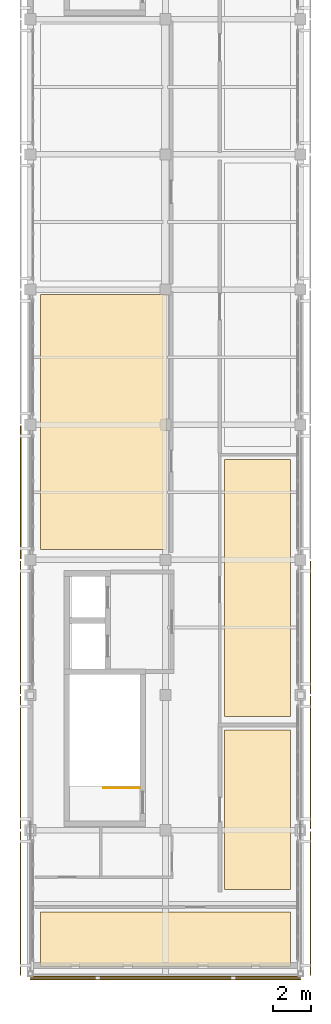
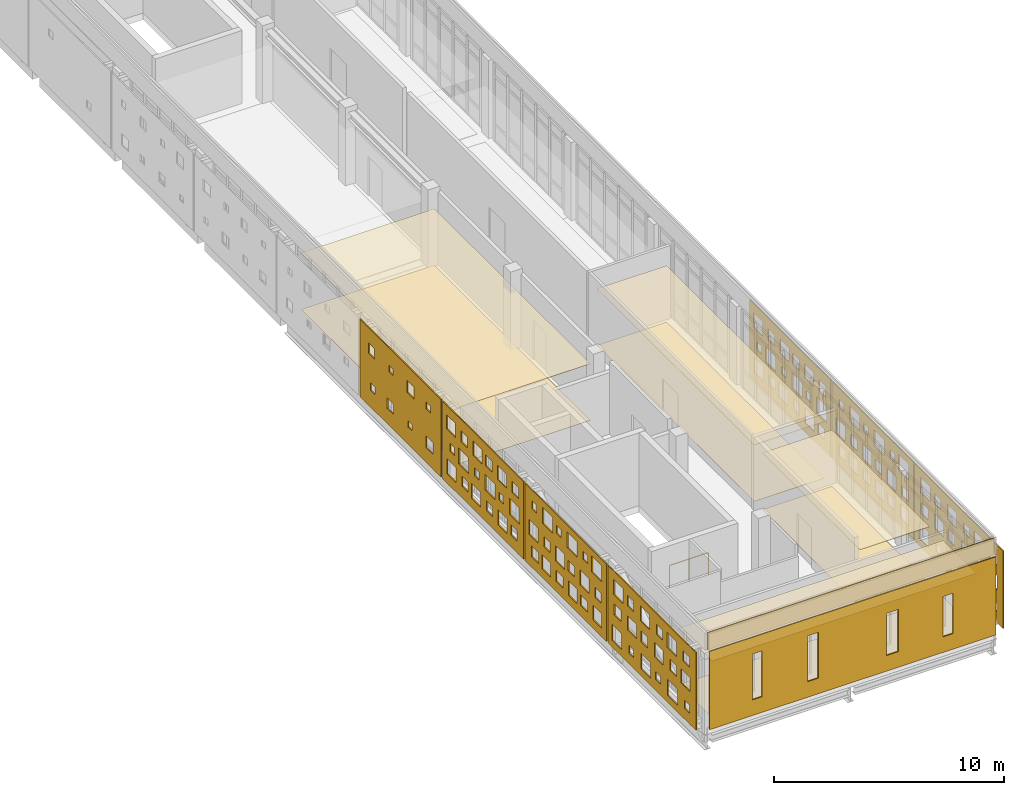
# One storey, part 18 of 19: 17 coverings, 1 railing.
"""IFC4 building model written with IfcOpenShell, lengths in metres."""

from ifc_helpers import new_model, si_unit, direction, frame, origin, origin_2d, place, context, subcontext, project, spatial, polyline, circle, outline, extrude, material, layer, layer_set, type_object, element, save


model = new_model("IFC4")

# Units and contexts
model_context = context("Model", 3, precision=1e-05, world=origin(), true_north=direction((0.0, 1.0)))
body_context = subcontext(model_context, "Body", "Model", "MODEL_VIEW")
ifc_project = project(units=[si_unit("LENGTHUNIT", "METRE"), si_unit("AREAUNIT", "SQUARE_METRE"), si_unit("VOLUMEUNIT", "CUBIC_METRE"), si_unit("PLANEANGLEUNIT", "RADIAN"), si_unit("MASSUNIT", "GRAM", prefix="KILO")], contexts=[model_context])

# Site, building, storey
site_placement = place(None, origin())
site = spatial("IfcSite", under=ifc_project, at=site_placement, CompositionType="ELEMENT")
building_placement = place(site_placement, origin())
building = spatial("IfcBuilding", under=site, at=building_placement, Name="Valkovuoma Quantum and Materials Research Institute", CompositionType="ELEMENT")
storey_placement = place(building_placement, frame((0.0, 0.0, 38.080078125)))
storey = spatial("IfcBuildingStorey", under=building, at=storey_placement, Name="L09", CompositionType="ELEMENT", Elevation=38.080078125)

# Coverings
ifc_material_1 = material(Name="Cleanable acoustic mineral-fibre suspended ceiling", Category="masonry")
ifc_layer_1 = layer(ifc_material_1, 0.02490234375)
ifc_layer_set_1 = layer_set([ifc_layer_1], Name="Cleanable acoustic mineral-fibre suspended ceiling")
covering_type_1 = type_object("IfcCoveringType", Name="Cov-CEIL-01", PredefinedType="CEILING", material=ifc_layer_set_1)
covering_1_placement = place(storey_placement, frame((0.0, 0.0, 3.0)))
element("IfcCovering", 1, at=covering_1_placement, inside=storey, type_object=covering_type_1, Name="L09 acoustic ceiling 0164", PredefinedType="CEILING", context=body_context, shape_type="SweptSolid", body=[
    extrude(outline(polyline([(0.550048828125, 21.550048828125), (13.85009765625, 21.550048828125), (13.85009765625, 24.449951171875), (0.550048828125, 24.449951171875), (0.550048828125, 21.550048828125)])), origin(), (0.0, 0.0, 1.0), 0.02490234375),
])
covering_2_placement = place(storey_placement, frame((0.0, 0.0, 3.0)))
element("IfcCovering", 2, at=covering_2_placement, inside=storey, type_object=covering_type_1, Name="L09 acoustic ceiling 0165", PredefinedType="CEILING", context=body_context, shape_type="SweptSolid", body=[
    extrude(outline(polyline([(0.550048828125, 43.75), (7.25, 43.75), (7.25, 57.35009765625), (0.550048828125, 57.35009765625), (0.550048828125, 43.75)])), origin(), (0.0, 0.0, 1.0), 0.02490234375),
])
covering_3_placement = place(storey_placement, frame((0.0, 0.0, 3.0)))
element("IfcCovering", 3, at=covering_3_placement, inside=storey, type_object=covering_type_1, Name="L09 acoustic ceiling 0168", PredefinedType="CEILING", context=body_context, shape_type="SweptSolid", body=[
    extrude(outline(polyline([(10.35009765625, 25.64990234375), (13.85009765625, 25.64990234375), (13.85009765625, 34.14990234375), (10.35009765625, 34.14990234375), (10.35009765625, 25.64990234375)])), origin(), (0.0, 0.0, 1.0), 0.02490234375),
])
covering_4_placement = place(storey_placement, frame((0.0, 0.0, 3.0)))
element("IfcCovering", 4, at=covering_4_placement, inside=storey, type_object=covering_type_1, Name="L09 acoustic ceiling 0169", PredefinedType="CEILING", context=body_context, shape_type="SweptSolid", body=[
    extrude(outline(polyline([(10.35009765625, 34.85009765625), (13.85009765625, 34.85009765625), (13.85009765625, 48.550048828125), (10.35009765625, 48.550048828125), (10.35009765625, 34.85009765625)])), origin(), (0.0, 0.0, 1.0), 0.02490234375),
])
ifc_material_2 = material(Name="Seamless dissipative laboratory resin flooring", Category="masonry")
ifc_layer_2 = layer(ifc_material_2, 0.014892578125)
ifc_layer_set_2 = layer_set([ifc_layer_2], Name="Seamless dissipative laboratory resin flooring")
covering_type_2 = type_object("IfcCoveringType", Name="Cov-FLOR-01", PredefinedType="FLOORING", material=ifc_layer_set_2)
covering_5_placement = place(storey_placement, origin())
element("IfcCovering", 5, at=covering_5_placement, inside=storey, type_object=covering_type_2, Name="L09 resin flooring 0164", PredefinedType="FLOORING", context=body_context, shape_type="SweptSolid", body=[
    extrude(outline(polyline([(0.550048828125, 21.550048828125), (13.85009765625, 21.550048828125), (13.85009765625, 24.449951171875), (0.550048828125, 24.449951171875), (0.550048828125, 21.550048828125)])), origin(), (0.0, 0.0, 1.0), 0.014892578125),
])
covering_6_placement = place(storey_placement, origin())
element("IfcCovering", 6, at=covering_6_placement, inside=storey, type_object=covering_type_2, Name="L09 resin flooring 0165", PredefinedType="FLOORING", context=body_context, shape_type="SweptSolid", body=[
    extrude(outline(polyline([(0.550048828125, 43.75), (7.25, 43.75), (7.25, 57.35009765625), (0.550048828125, 57.35009765625), (0.550048828125, 43.75)])), origin(), (0.0, 0.0, 1.0), 0.014892578125),
])
covering_7_placement = place(storey_placement, origin())
element("IfcCovering", 7, at=covering_7_placement, inside=storey, type_object=covering_type_2, Name="L09 resin flooring 0168", PredefinedType="FLOORING", context=body_context, shape_type="SweptSolid", body=[
    extrude(outline(polyline([(10.35009765625, 25.64990234375), (13.85009765625, 25.64990234375), (13.85009765625, 34.14990234375), (10.35009765625, 34.14990234375), (10.35009765625, 25.64990234375)])), origin(), (0.0, 0.0, 1.0), 0.014892578125),
])
covering_8_placement = place(storey_placement, origin())
element("IfcCovering", 8, at=covering_8_placement, inside=storey, type_object=covering_type_2, Name="L09 resin flooring 0169", PredefinedType="FLOORING", context=body_context, shape_type="SweptSolid", body=[
    extrude(outline(polyline([(10.35009765625, 34.85009765625), (13.85009765625, 34.85009765625), (13.85009765625, 48.550048828125), (10.35009765625, 48.550048828125), (10.35009765625, 34.85009765625)])), origin(), (0.0, 0.0, 1.0), 0.014892578125),
])
ifc_material_3 = material(Name="White powder-coated aluminium architectural panel", Category="aluminium")
ifc_layer_3 = layer(ifc_material_3, 0.054931640625)
ifc_layer_set_3 = layer_set([ifc_layer_3], Name="White powder-coated aluminium architectural panel")
covering_type_3 = type_object("IfcCoveringType", Name="Cov-PERF-DENSE", PredefinedType="CLADDING", material=ifc_layer_set_3)
covering_9_placement = place(storey_placement, frame((-0.52001953125, 21.06005859375, 0.02001953125), z_axis=(0.0, 0.0, 1.0), x_axis=(0.0, 1.0, 0.0)))
element("IfcCovering", 9, at=covering_9_placement, inside=storey, type_object=covering_type_3, Name="L09 graduated perforated white screen W-0136", PredefinedType="CLADDING", context=body_context, shape_type="SweptSolid", body=[
    extrude(outline(polyline([(0.0, 0.0), (7.679931640625, 0.0), (7.679931640625, 4.119873046875), (0.0, 4.119873046875), (0.0, 0.0)]), holes=[polyline([(0.578369140625, 0.5732421875), (0.578369140625, 0.993408203125), (0.998291015625, 0.993408203125), (0.998291015625, 0.5732421875), (0.578369140625, 0.5732421875)]), polyline([(0.5283203125, 1.72998046875), (0.5283203125, 2.489990234375), (1.288330078125, 2.489990234375), (1.288330078125, 1.72998046875), (0.5283203125, 1.72998046875)]), polyline([(0.578369140625, 3.0166015625), (0.578369140625, 3.556640625), (1.118408203125, 3.556640625), (1.118408203125, 3.0166015625), (0.578369140625, 3.0166015625)]), polyline([(1.625, 0.36328125), (1.625, 1.203369140625), (2.465087890625, 1.203369140625), (2.465087890625, 0.36328125), (1.625, 0.36328125)]), polyline([(1.695068359375, 1.820068359375), (1.695068359375, 2.39990234375), (2.27490234375, 2.39990234375), (2.27490234375, 1.820068359375), (1.695068359375, 1.820068359375)]), polyline([(1.705078125, 2.88671875), (1.705078125, 3.686767578125), (2.5048828125, 3.686767578125), (2.5048828125, 2.88671875), (1.705078125, 2.88671875)]), polyline([(3.091796875, 0.5732421875), (3.091796875, 0.993408203125), (3.51171875, 0.993408203125), (3.51171875, 0.5732421875), (3.091796875, 0.5732421875)]), polyline([(2.86181640625, 1.72998046875), (2.86181640625, 2.489990234375), (3.62158203125, 2.489990234375), (3.62158203125, 1.72998046875), (2.86181640625, 1.72998046875)]), polyline([(2.91162109375, 3.0166015625), (2.91162109375, 3.556640625), (3.45166015625, 3.556640625), (3.45166015625, 3.0166015625), (2.91162109375, 3.0166015625)]), polyline([(3.958251953125, 0.36328125), (3.958251953125, 1.203369140625), (4.79833984375, 1.203369140625), (4.79833984375, 0.36328125), (3.958251953125, 0.36328125)]), polyline([(4.208251953125, 1.820068359375), (4.208251953125, 2.39990234375), (4.788330078125, 2.39990234375), (4.788330078125, 1.820068359375), (4.208251953125, 1.820068359375)]), polyline([(4.038330078125, 2.88671875), (4.038330078125, 3.686767578125), (4.83837890625, 3.686767578125), (4.83837890625, 2.88671875), (4.038330078125, 2.88671875)]), polyline([(5.425048828125, 0.5732421875), (5.425048828125, 0.993408203125), (5.844970703125, 0.993408203125), (5.844970703125, 0.5732421875), (5.425048828125, 0.5732421875)]), polyline([(5.195068359375, 1.72998046875), (5.195068359375, 2.489990234375), (5.955078125, 2.489990234375), (5.955078125, 1.72998046875), (5.195068359375, 1.72998046875)]), polyline([(5.425048828125, 3.0166015625), (5.425048828125, 3.556640625), (5.965087890625, 3.556640625), (5.965087890625, 3.0166015625), (5.425048828125, 3.0166015625)]), polyline([(6.4716796875, 0.36328125), (6.4716796875, 1.203369140625), (7.311767578125, 1.203369140625), (7.311767578125, 0.36328125), (6.4716796875, 0.36328125)]), polyline([(6.541748046875, 1.820068359375), (6.541748046875, 2.39990234375), (7.12158203125, 2.39990234375), (7.12158203125, 1.820068359375), (6.541748046875, 1.820068359375)]), polyline([(6.37158203125, 2.88671875), (6.37158203125, 3.686767578125), (7.171630859375, 3.686767578125), (7.171630859375, 2.88671875), (6.37158203125, 2.88671875)])]), frame((0.0, 0.02734375, 0.0), z_axis=(0.0, -1.0, 0.0), x_axis=(1.0, 0.0, 0.0)), (0.0, 0.0, 1.0), 0.054931640625),
])
covering_10_placement = place(storey_placement, frame((14.919921875, 21.06005859375, 0.02001953125), z_axis=(0.0, 0.0, 1.0), x_axis=(0.0, 1.0, 0.0)))
element("IfcCovering", 10, at=covering_10_placement, inside=storey, type_object=covering_type_3, Name="L09 graduated perforated white screen E-0137", PredefinedType="CLADDING", context=body_context, shape_type="SweptSolid", body=[
    extrude(outline(polyline([(0.0, 0.0), (7.679931640625, 0.0), (7.679931640625, 4.119873046875), (0.0, 4.119873046875), (0.0, 0.0)]), holes=[polyline([(0.578369140625, 0.5732421875), (0.578369140625, 0.993408203125), (0.998291015625, 0.993408203125), (0.998291015625, 0.5732421875), (0.578369140625, 0.5732421875)]), polyline([(0.5283203125, 1.72998046875), (0.5283203125, 2.489990234375), (1.288330078125, 2.489990234375), (1.288330078125, 1.72998046875), (0.5283203125, 1.72998046875)]), polyline([(0.578369140625, 3.0166015625), (0.578369140625, 3.556640625), (1.118408203125, 3.556640625), (1.118408203125, 3.0166015625), (0.578369140625, 3.0166015625)]), polyline([(1.625, 0.36328125), (1.625, 1.203369140625), (2.465087890625, 1.203369140625), (2.465087890625, 0.36328125), (1.625, 0.36328125)]), polyline([(1.695068359375, 1.820068359375), (1.695068359375, 2.39990234375), (2.27490234375, 2.39990234375), (2.27490234375, 1.820068359375), (1.695068359375, 1.820068359375)]), polyline([(1.705078125, 2.88671875), (1.705078125, 3.686767578125), (2.5048828125, 3.686767578125), (2.5048828125, 2.88671875), (1.705078125, 2.88671875)]), polyline([(3.091796875, 0.5732421875), (3.091796875, 0.993408203125), (3.51171875, 0.993408203125), (3.51171875, 0.5732421875), (3.091796875, 0.5732421875)]), polyline([(2.86181640625, 1.72998046875), (2.86181640625, 2.489990234375), (3.62158203125, 2.489990234375), (3.62158203125, 1.72998046875), (2.86181640625, 1.72998046875)]), polyline([(2.91162109375, 3.0166015625), (2.91162109375, 3.556640625), (3.45166015625, 3.556640625), (3.45166015625, 3.0166015625), (2.91162109375, 3.0166015625)]), polyline([(3.958251953125, 0.36328125), (3.958251953125, 1.203369140625), (4.79833984375, 1.203369140625), (4.79833984375, 0.36328125), (3.958251953125, 0.36328125)]), polyline([(4.208251953125, 1.820068359375), (4.208251953125, 2.39990234375), (4.788330078125, 2.39990234375), (4.788330078125, 1.820068359375), (4.208251953125, 1.820068359375)]), polyline([(4.038330078125, 2.88671875), (4.038330078125, 3.686767578125), (4.83837890625, 3.686767578125), (4.83837890625, 2.88671875), (4.038330078125, 2.88671875)]), polyline([(5.425048828125, 0.5732421875), (5.425048828125, 0.993408203125), (5.844970703125, 0.993408203125), (5.844970703125, 0.5732421875), (5.425048828125, 0.5732421875)]), polyline([(5.195068359375, 1.72998046875), (5.195068359375, 2.489990234375), (5.955078125, 2.489990234375), (5.955078125, 1.72998046875), (5.195068359375, 1.72998046875)]), polyline([(5.425048828125, 3.0166015625), (5.425048828125, 3.556640625), (5.965087890625, 3.556640625), (5.965087890625, 3.0166015625), (5.425048828125, 3.0166015625)]), polyline([(6.4716796875, 0.36328125), (6.4716796875, 1.203369140625), (7.311767578125, 1.203369140625), (7.311767578125, 0.36328125), (6.4716796875, 0.36328125)]), polyline([(6.541748046875, 1.820068359375), (6.541748046875, 2.39990234375), (7.12158203125, 2.39990234375), (7.12158203125, 1.820068359375), (6.541748046875, 1.820068359375)]), polyline([(6.37158203125, 2.88671875), (6.37158203125, 3.686767578125), (7.171630859375, 3.686767578125), (7.171630859375, 2.88671875), (6.37158203125, 2.88671875)])]), frame((0.0, 0.02734375, 0.0), z_axis=(0.0, -1.0, 0.0), x_axis=(1.0, 0.0, 0.0)), (0.0, 0.0, 1.0), 0.054931640625),
])
covering_11_placement = place(storey_placement, frame((-0.52001953125, 28.860107421875, 0.02001953125), z_axis=(0.0, 0.0, 1.0), x_axis=(0.0, 1.0, 0.0)))
element("IfcCovering", 11, at=covering_11_placement, inside=storey, type_object=covering_type_3, Name="L09 graduated perforated white screen W-0138", PredefinedType="CLADDING", context=body_context, shape_type="SweptSolid", body=[
    extrude(outline(polyline([(0.0, 0.0), (7.079833984375, 0.0), (7.079833984375, 4.119873046875), (0.0, 4.119873046875), (0.0, 0.0)]), holes=[polyline([(0.418212890625, 0.453369140625), (0.418212890625, 1.21337890625), (1.17822265625, 1.21337890625), (1.17822265625, 0.453369140625), (0.418212890625, 0.453369140625)]), polyline([(0.46826171875, 1.739990234375), (0.46826171875, 2.280029296875), (1.00830078125, 2.280029296875), (1.00830078125, 1.739990234375), (0.46826171875, 1.739990234375)]), polyline([(0.438232421875, 2.916748046875), (0.438232421875, 3.756591796875), (1.2783203125, 3.756591796875), (1.2783203125, 2.916748046875), (0.438232421875, 2.916748046875)]), polyline([(1.6650390625, 0.543212890625), (1.6650390625, 1.123291015625), (2.2451171875, 1.123291015625), (2.2451171875, 0.543212890625), (1.6650390625, 0.543212890625)]), polyline([(1.4951171875, 1.610107421875), (1.4951171875, 2.409912109375), (2.294921875, 2.409912109375), (2.294921875, 1.610107421875), (1.4951171875, 1.610107421875)]), polyline([(1.625, 3.126708984375), (1.625, 3.546630859375), (2.044921875, 3.546630859375), (2.044921875, 3.126708984375), (1.625, 3.126708984375)]), polyline([(2.5517578125, 0.453369140625), (2.5517578125, 1.21337890625), (3.311767578125, 1.21337890625), (3.311767578125, 0.453369140625), (2.5517578125, 0.453369140625)]), polyline([(2.78173828125, 1.739990234375), (2.78173828125, 2.280029296875), (3.32177734375, 2.280029296875), (3.32177734375, 1.739990234375), (2.78173828125, 1.739990234375)]), polyline([(2.57177734375, 2.916748046875), (2.57177734375, 3.756591796875), (3.41162109375, 3.756591796875), (3.41162109375, 2.916748046875), (2.57177734375, 2.916748046875)]), polyline([(3.79833984375, 0.543212890625), (3.79833984375, 1.123291015625), (4.37841796875, 1.123291015625), (4.37841796875, 0.543212890625), (3.79833984375, 0.543212890625)]), polyline([(3.62841796875, 1.610107421875), (3.62841796875, 2.409912109375), (4.42822265625, 2.409912109375), (4.42822265625, 1.610107421875), (3.62841796875, 1.610107421875)]), polyline([(3.938232421875, 3.126708984375), (3.938232421875, 3.546630859375), (4.3583984375, 3.546630859375), (4.3583984375, 3.126708984375), (3.938232421875, 3.126708984375)]), polyline([(4.864990234375, 0.453369140625), (4.864990234375, 1.21337890625), (5.625, 1.21337890625), (5.625, 0.453369140625), (4.864990234375, 0.453369140625)]), polyline([(4.9150390625, 1.739990234375), (4.9150390625, 2.280029296875), (5.455078125, 2.280029296875), (5.455078125, 1.739990234375), (4.9150390625, 1.739990234375)]), polyline([(4.705078125, 2.916748046875), (4.705078125, 3.756591796875), (5.544921875, 3.756591796875), (5.544921875, 2.916748046875), (4.705078125, 2.916748046875)]), polyline([(5.931640625, 0.543212890625), (5.931640625, 1.123291015625), (6.51171875, 1.123291015625), (6.51171875, 0.543212890625), (5.931640625, 0.543212890625)]), polyline([(5.941650390625, 1.610107421875), (5.941650390625, 2.409912109375), (6.74169921875, 2.409912109375), (6.74169921875, 1.610107421875), (5.941650390625, 1.610107421875)]), polyline([(6.07177734375, 3.126708984375), (6.07177734375, 3.546630859375), (6.49169921875, 3.546630859375), (6.49169921875, 3.126708984375), (6.07177734375, 3.126708984375)])]), frame((0.0, 0.02734375, 0.0), z_axis=(0.0, -1.0, 0.0), x_axis=(1.0, 0.0, 0.0)), (0.0, 0.0, 1.0), 0.054931640625),
])
covering_12_placement = place(storey_placement, frame((14.919921875, 28.860107421875, 0.02001953125), z_axis=(0.0, 0.0, 1.0), x_axis=(0.0, 1.0, 0.0)))
element("IfcCovering", 12, at=covering_12_placement, inside=storey, type_object=covering_type_3, Name="L09 graduated perforated white screen E-0139", PredefinedType="CLADDING", context=body_context, shape_type="SweptSolid", body=[
    extrude(outline(polyline([(0.0, 0.0), (7.079833984375, 0.0), (7.079833984375, 4.119873046875), (0.0, 4.119873046875), (0.0, 0.0)]), holes=[polyline([(0.418212890625, 0.453369140625), (0.418212890625, 1.21337890625), (1.17822265625, 1.21337890625), (1.17822265625, 0.453369140625), (0.418212890625, 0.453369140625)]), polyline([(0.46826171875, 1.739990234375), (0.46826171875, 2.280029296875), (1.00830078125, 2.280029296875), (1.00830078125, 1.739990234375), (0.46826171875, 1.739990234375)]), polyline([(0.438232421875, 2.916748046875), (0.438232421875, 3.756591796875), (1.2783203125, 3.756591796875), (1.2783203125, 2.916748046875), (0.438232421875, 2.916748046875)]), polyline([(1.6650390625, 0.543212890625), (1.6650390625, 1.123291015625), (2.2451171875, 1.123291015625), (2.2451171875, 0.543212890625), (1.6650390625, 0.543212890625)]), polyline([(1.4951171875, 1.610107421875), (1.4951171875, 2.409912109375), (2.294921875, 2.409912109375), (2.294921875, 1.610107421875), (1.4951171875, 1.610107421875)]), polyline([(1.625, 3.126708984375), (1.625, 3.546630859375), (2.044921875, 3.546630859375), (2.044921875, 3.126708984375), (1.625, 3.126708984375)]), polyline([(2.5517578125, 0.453369140625), (2.5517578125, 1.21337890625), (3.311767578125, 1.21337890625), (3.311767578125, 0.453369140625), (2.5517578125, 0.453369140625)]), polyline([(2.78173828125, 1.739990234375), (2.78173828125, 2.280029296875), (3.32177734375, 2.280029296875), (3.32177734375, 1.739990234375), (2.78173828125, 1.739990234375)]), polyline([(2.57177734375, 2.916748046875), (2.57177734375, 3.756591796875), (3.41162109375, 3.756591796875), (3.41162109375, 2.916748046875), (2.57177734375, 2.916748046875)]), polyline([(3.79833984375, 0.543212890625), (3.79833984375, 1.123291015625), (4.37841796875, 1.123291015625), (4.37841796875, 0.543212890625), (3.79833984375, 0.543212890625)]), polyline([(3.62841796875, 1.610107421875), (3.62841796875, 2.409912109375), (4.42822265625, 2.409912109375), (4.42822265625, 1.610107421875), (3.62841796875, 1.610107421875)]), polyline([(3.938232421875, 3.126708984375), (3.938232421875, 3.546630859375), (4.3583984375, 3.546630859375), (4.3583984375, 3.126708984375), (3.938232421875, 3.126708984375)]), polyline([(4.864990234375, 0.453369140625), (4.864990234375, 1.21337890625), (5.625, 1.21337890625), (5.625, 0.453369140625), (4.864990234375, 0.453369140625)]), polyline([(4.9150390625, 1.739990234375), (4.9150390625, 2.280029296875), (5.455078125, 2.280029296875), (5.455078125, 1.739990234375), (4.9150390625, 1.739990234375)]), polyline([(4.705078125, 2.916748046875), (4.705078125, 3.756591796875), (5.544921875, 3.756591796875), (5.544921875, 2.916748046875), (4.705078125, 2.916748046875)]), polyline([(5.931640625, 0.543212890625), (5.931640625, 1.123291015625), (6.51171875, 1.123291015625), (6.51171875, 0.543212890625), (5.931640625, 0.543212890625)]), polyline([(5.941650390625, 1.610107421875), (5.941650390625, 2.409912109375), (6.74169921875, 2.409912109375), (6.74169921875, 1.610107421875), (5.941650390625, 1.610107421875)]), polyline([(6.07177734375, 3.126708984375), (6.07177734375, 3.546630859375), (6.49169921875, 3.546630859375), (6.49169921875, 3.126708984375), (6.07177734375, 3.126708984375)])]), frame((0.0, 0.02734375, 0.0), z_axis=(0.0, -1.0, 0.0), x_axis=(1.0, 0.0, 0.0)), (0.0, 0.0, 1.0), 0.054931640625),
])
covering_13_placement = place(storey_placement, frame((-0.52001953125, 36.06005859375, 0.02001953125), z_axis=(0.0, 0.0, 1.0), x_axis=(0.0, 1.0, 0.0)))
element("IfcCovering", 13, at=covering_13_placement, inside=storey, type_object=covering_type_3, Name="L09 graduated perforated white screen W-0140", PredefinedType="CLADDING", context=body_context, shape_type="SweptSolid", body=[
    extrude(outline(polyline([(0.0, 0.0), (7.079833984375, 0.0), (7.079833984375, 4.119873046875), (0.0, 4.119873046875), (0.0, 0.0)]), holes=[polyline([(0.58837890625, 0.61328125), (0.58837890625, 1.1533203125), (1.12841796875, 1.1533203125), (1.12841796875, 0.61328125), (0.58837890625, 0.61328125)]), polyline([(0.37841796875, 1.639892578125), (0.37841796875, 2.47998046875), (1.21826171875, 2.47998046875), (1.21826171875, 1.639892578125), (0.37841796875, 1.639892578125)]), polyline([(0.4482421875, 2.94677734375), (0.4482421875, 3.526611328125), (1.0283203125, 3.526611328125), (1.0283203125, 2.94677734375), (0.4482421875, 2.94677734375)]), polyline([(1.43505859375, 0.4833984375), (1.43505859375, 1.283203125), (2.235107421875, 1.283203125), (2.235107421875, 0.4833984375), (1.43505859375, 0.4833984375)]), polyline([(1.7451171875, 1.85009765625), (1.7451171875, 2.27001953125), (2.1650390625, 2.27001953125), (2.1650390625, 1.85009765625), (1.7451171875, 1.85009765625)]), polyline([(1.514892578125, 2.856689453125), (1.514892578125, 3.61669921875), (2.27490234375, 3.61669921875), (2.27490234375, 2.856689453125), (1.514892578125, 2.856689453125)]), polyline([(2.7216796875, 0.61328125), (2.7216796875, 1.1533203125), (3.26171875, 1.1533203125), (3.26171875, 0.61328125), (2.7216796875, 0.61328125)]), polyline([(2.51171875, 1.639892578125), (2.51171875, 2.47998046875), (3.351806640625, 2.47998046875), (3.351806640625, 1.639892578125), (2.51171875, 1.639892578125)]), polyline([(2.76171875, 2.94677734375), (2.76171875, 3.526611328125), (3.341796875, 3.526611328125), (3.341796875, 2.94677734375), (2.76171875, 2.94677734375)]), polyline([(3.748291015625, 0.4833984375), (3.748291015625, 1.283203125), (4.54833984375, 1.283203125), (4.54833984375, 0.4833984375), (3.748291015625, 0.4833984375)]), polyline([(3.87841796875, 1.85009765625), (3.87841796875, 2.27001953125), (4.29833984375, 2.27001953125), (4.29833984375, 1.85009765625), (3.87841796875, 1.85009765625)]), polyline([(3.648193359375, 2.856689453125), (3.648193359375, 3.61669921875), (4.408203125, 3.61669921875), (4.408203125, 2.856689453125), (3.648193359375, 2.856689453125)]), polyline([(4.85498046875, 0.61328125), (4.85498046875, 1.1533203125), (5.39501953125, 1.1533203125), (5.39501953125, 0.61328125), (4.85498046875, 0.61328125)]), polyline([(4.824951171875, 1.639892578125), (4.824951171875, 2.47998046875), (5.6650390625, 2.47998046875), (5.6650390625, 1.639892578125), (4.824951171875, 1.639892578125)]), polyline([(4.89501953125, 2.94677734375), (4.89501953125, 3.526611328125), (5.47509765625, 3.526611328125), (5.47509765625, 2.94677734375), (4.89501953125, 2.94677734375)]), polyline([(5.881591796875, 0.4833984375), (5.881591796875, 1.283203125), (6.681640625, 1.283203125), (6.681640625, 0.4833984375), (5.881591796875, 0.4833984375)]), polyline([(6.01171875, 1.85009765625), (6.01171875, 2.27001953125), (6.431640625, 2.27001953125), (6.431640625, 1.85009765625), (6.01171875, 1.85009765625)]), polyline([(5.961669921875, 2.856689453125), (5.961669921875, 3.61669921875), (6.7216796875, 3.61669921875), (6.7216796875, 2.856689453125), (5.961669921875, 2.856689453125)])]), frame((0.0, 0.02734375, 0.0), z_axis=(0.0, -1.0, 0.0), x_axis=(1.0, 0.0, 0.0)), (0.0, 0.0, 1.0), 0.054931640625),
])
covering_14_placement = place(storey_placement, frame((14.919921875, 36.06005859375, 0.02001953125), z_axis=(0.0, 0.0, 1.0), x_axis=(0.0, 1.0, 0.0)))
element("IfcCovering", 14, at=covering_14_placement, inside=storey, type_object=covering_type_3, Name="L09 graduated perforated white screen E-0141", PredefinedType="CLADDING", context=body_context, shape_type="SweptSolid", body=[
    extrude(outline(polyline([(0.0, 0.0), (7.079833984375, 0.0), (7.079833984375, 4.119873046875), (0.0, 4.119873046875), (0.0, 0.0)]), holes=[polyline([(0.58837890625, 0.61328125), (0.58837890625, 1.1533203125), (1.12841796875, 1.1533203125), (1.12841796875, 0.61328125), (0.58837890625, 0.61328125)]), polyline([(0.37841796875, 1.639892578125), (0.37841796875, 2.47998046875), (1.21826171875, 2.47998046875), (1.21826171875, 1.639892578125), (0.37841796875, 1.639892578125)]), polyline([(0.4482421875, 2.94677734375), (0.4482421875, 3.526611328125), (1.0283203125, 3.526611328125), (1.0283203125, 2.94677734375), (0.4482421875, 2.94677734375)]), polyline([(1.43505859375, 0.4833984375), (1.43505859375, 1.283203125), (2.235107421875, 1.283203125), (2.235107421875, 0.4833984375), (1.43505859375, 0.4833984375)]), polyline([(1.7451171875, 1.85009765625), (1.7451171875, 2.27001953125), (2.1650390625, 2.27001953125), (2.1650390625, 1.85009765625), (1.7451171875, 1.85009765625)]), polyline([(1.514892578125, 2.856689453125), (1.514892578125, 3.61669921875), (2.27490234375, 3.61669921875), (2.27490234375, 2.856689453125), (1.514892578125, 2.856689453125)]), polyline([(2.7216796875, 0.61328125), (2.7216796875, 1.1533203125), (3.26171875, 1.1533203125), (3.26171875, 0.61328125), (2.7216796875, 0.61328125)]), polyline([(2.51171875, 1.639892578125), (2.51171875, 2.47998046875), (3.351806640625, 2.47998046875), (3.351806640625, 1.639892578125), (2.51171875, 1.639892578125)]), polyline([(2.76171875, 2.94677734375), (2.76171875, 3.526611328125), (3.341796875, 3.526611328125), (3.341796875, 2.94677734375), (2.76171875, 2.94677734375)]), polyline([(3.748291015625, 0.4833984375), (3.748291015625, 1.283203125), (4.54833984375, 1.283203125), (4.54833984375, 0.4833984375), (3.748291015625, 0.4833984375)]), polyline([(3.87841796875, 1.85009765625), (3.87841796875, 2.27001953125), (4.29833984375, 2.27001953125), (4.29833984375, 1.85009765625), (3.87841796875, 1.85009765625)]), polyline([(3.648193359375, 2.856689453125), (3.648193359375, 3.61669921875), (4.408203125, 3.61669921875), (4.408203125, 2.856689453125), (3.648193359375, 2.856689453125)]), polyline([(4.85498046875, 0.61328125), (4.85498046875, 1.1533203125), (5.39501953125, 1.1533203125), (5.39501953125, 0.61328125), (4.85498046875, 0.61328125)]), polyline([(4.824951171875, 1.639892578125), (4.824951171875, 2.47998046875), (5.6650390625, 2.47998046875), (5.6650390625, 1.639892578125), (4.824951171875, 1.639892578125)]), polyline([(4.89501953125, 2.94677734375), (4.89501953125, 3.526611328125), (5.47509765625, 3.526611328125), (5.47509765625, 2.94677734375), (4.89501953125, 2.94677734375)]), polyline([(5.881591796875, 0.4833984375), (5.881591796875, 1.283203125), (6.681640625, 1.283203125), (6.681640625, 0.4833984375), (5.881591796875, 0.4833984375)]), polyline([(6.01171875, 1.85009765625), (6.01171875, 2.27001953125), (6.431640625, 2.27001953125), (6.431640625, 1.85009765625), (6.01171875, 1.85009765625)]), polyline([(5.961669921875, 2.856689453125), (5.961669921875, 3.61669921875), (6.7216796875, 3.61669921875), (6.7216796875, 2.856689453125), (5.961669921875, 2.856689453125)])]), frame((0.0, 0.02734375, 0.0), z_axis=(0.0, -1.0, 0.0), x_axis=(1.0, 0.0, 0.0)), (0.0, 0.0, 1.0), 0.054931640625),
])
ifc_material_4 = material(Name="White powder-coated aluminium architectural panel", Category="aluminium")
ifc_layer_4 = layer(ifc_material_4, 0.054931640625)
ifc_layer_set_4 = layer_set([ifc_layer_4], Name="White powder-coated aluminium architectural panel")
covering_type_4 = type_object("IfcCoveringType", Name="Cov-PERF-MID", PredefinedType="CLADDING", material=ifc_layer_set_4)
covering_15_placement = place(storey_placement, frame((-0.52001953125, 43.260009765625, 0.02001953125), z_axis=(0.0, 0.0, 1.0), x_axis=(0.0, 1.0, 0.0)))
element("IfcCovering", 15, at=covering_15_placement, inside=storey, type_object=covering_type_4, Name="L09 graduated perforated white screen W-0142", PredefinedType="CLADDING", context=body_context, shape_type="SweptSolid", body=[
    extrude(outline(polyline([(0.0, 0.0), (7.080078125, 0.0), (7.080078125, 4.119873046875), (0.0, 4.119873046875), (0.0, 0.0)]), holes=[polyline([(0.702392578125, 0.780029296875), (0.702392578125, 1.39990234375), (1.322509765625, 1.39990234375), (1.322509765625, 0.780029296875), (0.702392578125, 0.780029296875)]), polyline([(0.9423828125, 2.840087890625), (0.9423828125, 3.219970703125), (1.322509765625, 3.219970703125), (1.322509765625, 2.840087890625), (0.9423828125, 2.840087890625)]), polyline([(2.547607421875, 0.919921875), (2.547607421875, 1.260009765625), (2.887451171875, 1.260009765625), (2.887451171875, 0.919921875), (2.547607421875, 0.919921875)]), polyline([(2.347412109375, 2.719970703125), (2.347412109375, 3.340087890625), (2.967529296875, 3.340087890625), (2.967529296875, 2.719970703125), (2.347412109375, 2.719970703125)]), polyline([(4.152587890625, 0.820068359375), (4.152587890625, 1.360107421875), (4.6923828125, 1.360107421875), (4.6923828125, 0.820068359375), (4.152587890625, 0.820068359375)]), polyline([(4.1923828125, 2.860107421875), (4.1923828125, 3.199951171875), (4.532470703125, 3.199951171875), (4.532470703125, 2.860107421875), (4.1923828125, 2.860107421875)]), polyline([(5.757568359375, 0.89990234375), (5.757568359375, 1.280029296875), (6.137451171875, 1.280029296875), (6.137451171875, 0.89990234375), (5.757568359375, 0.89990234375)]), polyline([(5.797607421875, 2.760009765625), (5.797607421875, 3.300048828125), (6.33740234375, 3.300048828125), (6.33740234375, 2.760009765625), (5.797607421875, 2.760009765625)])]), frame((0.0, 0.02734375, 0.0), z_axis=(0.0, -1.0, 0.0), x_axis=(1.0, 0.0, 0.0)), (0.0, 0.0, 1.0), 0.054931640625),
])
ifc_material_5 = material(Name="White powder-coated aluminium architectural panel", Category="aluminium")
ifc_layer_5 = layer(ifc_material_5, 0.054931640625)
ifc_layer_set_5 = layer_set([ifc_layer_5], Name="White powder-coated aluminium architectural panel")
covering_type_5 = type_object("IfcCoveringType", Name="Cov-WHITE-01", PredefinedType="CLADDING", material=ifc_layer_set_5)
covering_16_placement = place(storey_placement, frame((0.0, 20.85009765625, 0.0), z_axis=(0.0, 0.0, 1.0), x_axis=(1.0, 0.0, 0.0)))
element("IfcCovering", 16, at=covering_16_placement, inside=storey, type_object=covering_type_5, Name="L09 south white slot-window end skin", PredefinedType="CLADDING", context=body_context, shape_type="SweptSolid", body=[
    extrude(outline(polyline([(0.0, 0.0), (14.39990234375, 0.0), (14.39990234375, 4.159912109375), (0.0, 4.159912109375), (0.0, 0.0)]), holes=[polyline([(2.155029296875, 0.830078125), (2.155029296875, 3.27001953125), (2.64501953125, 3.27001953125), (2.64501953125, 0.830078125), (2.155029296875, 0.830078125)]), polyline([(4.929931640625, 0.830078125), (4.929931640625, 3.27001953125), (5.469970703125, 3.27001953125), (5.469970703125, 0.830078125), (4.929931640625, 0.830078125)]), polyline([(8.905029296875, 0.830078125), (8.905029296875, 3.070068359375), (9.4951171875, 3.070068359375), (9.4951171875, 0.830078125), (8.905029296875, 0.830078125)]), polyline([(11.7548828125, 0.830078125), (11.7548828125, 2.969970703125), (12.2451171875, 2.969970703125), (12.2451171875, 0.830078125), (11.7548828125, 0.830078125)])]), frame((0.0, 0.02734375, 0.0), z_axis=(0.0, -1.0, 0.0), x_axis=(1.0, 0.0, 0.0)), (0.0, 0.0, 1.0), 0.054931640625),
])
covering_17_placement = place(storey_placement, frame((0.0, 21.0, 4.159912109375), z_axis=(0.0, 0.0, 1.0), x_axis=(1.0, 0.0, 0.0)))
element("IfcCovering", 17, at=covering_17_placement, inside=storey, type_object=covering_type_5, Name="L09 white parapet coping S", PredefinedType="CLADDING", context=body_context, shape_type="SweptSolid", body=[
    extrude(outline(polyline([(0.0, 0.0), (14.39990234375, 0.0), (14.39990234375, 0.89990234375), (0.0, 0.89990234375), (0.0, 0.0)])), frame((0.0, 0.02734375, 0.0), z_axis=(0.0, -1.0, 0.0), x_axis=(1.0, 0.0, 0.0)), (0.0, 0.0, 1.0), 0.054931640625),
])

# Railing
ifc_material_6 = material(Name="Painted steel stair balustrade", Category="steel")
railing_type = type_object("IfcRailingType", Name="Rail-GRD-ST", PredefinedType="BALUSTRADE", material=ifc_material_6)
railing_placement = place(storey_placement, frame((5.85009765625, 31.050048828125, 0.0)))
element("IfcRailing", 18, at=railing_placement, inside=storey, type_object=railing_type, Name="L09 ST-1 top well guard 1", PredefinedType="BALUSTRADE", context=body_context, shape_type="SweptSolid", body=[
    extrude(circle(Radius=0.02392578125, at=origin_2d()), frame((0.0, 0.0, 1.17578125), z_axis=(-1.0, 0.0, 0.0), x_axis=(0.0, -1.0, 0.0)), (0.0, 0.0, 1.0), 1.9501953125),
    extrude(circle(Radius=0.02099609375, at=origin_2d()), origin(), (0.0, 0.0, 1.0), 1.15185546875),
    extrude(circle(Radius=0.02099609375, at=origin_2d()), frame((-0.97509765625, 0.0, 0.0)), (0.0, 0.0, 1.0), 1.15185546875),
    extrude(circle(Radius=0.02099609375, at=origin_2d()), frame((-1.9501953125, 0.0, 0.0)), (0.0, 0.0, 1.0), 1.15185546875),
])

save(model, "model.ifc")
